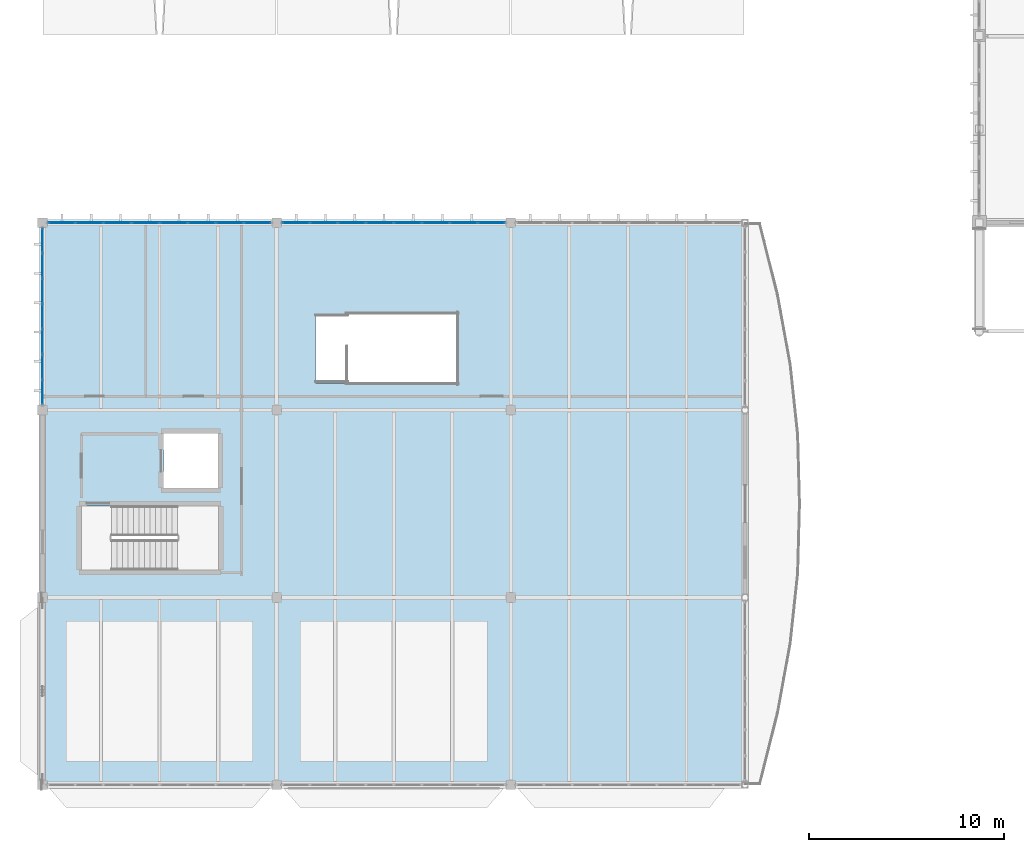
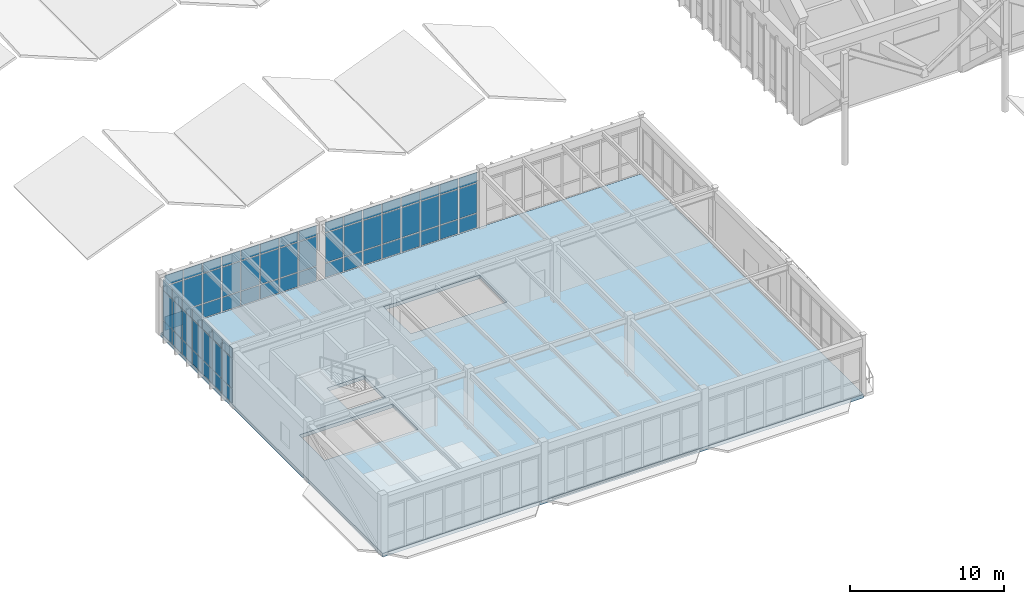
# One storey, part 187 of 236: 69 plates, 1 slab, 3 elements without a shape of their own.
"""IFC4 building model written with IfcOpenShell, lengths in metres."""

from ifc_helpers import new_model, si_unit, direction, frame, origin, origin_2d, place, context, subcontext, project, spatial, polyline, rectangle, outline, extrude, material, layer, layer_set, type_object, element, aggregate, save


model = new_model("IFC4")

# Units and contexts
model_context = context("Model", 3, precision=1e-05, world=origin(), true_north=direction((0.0, 1.0)))
body_context = subcontext(model_context, "Body", "Model", "MODEL_VIEW")
ifc_project = project(units=[si_unit("LENGTHUNIT", "METRE"), si_unit("AREAUNIT", "SQUARE_METRE"), si_unit("VOLUMEUNIT", "CUBIC_METRE"), si_unit("PLANEANGLEUNIT", "RADIAN"), si_unit("MASSUNIT", "GRAM", prefix="KILO")], contexts=[model_context])

# Site, building, storey
site_placement = place(None, origin())
site = spatial("IfcSite", under=ifc_project, at=site_placement, CompositionType="ELEMENT")
building_placement = place(site_placement, origin())
building = spatial("IfcBuilding", under=site, at=building_placement, Name="Pandanus Reach Market Hall", CompositionType="ELEMENT")
storey_placement = place(building_placement, frame((0.0, 0.0, 5.39990234375)))
storey = spatial("IfcBuildingStorey", under=building, at=storey_placement, Name="L01", CompositionType="ELEMENT", Elevation=5.39990234375)

# Curtain wall, plates
ifc_material_1 = material(Name="Bronze anodised aluminium and low-E glass", Category="aluminium")
ifc_layer_1 = layer(ifc_material_1, 0.159912109375, Name="CW-17")
ifc_layer_set_1 = layer_set([ifc_layer_1], Name="Bronze anodised aluminium and low-E glass")
curtain_wall_type_1 = type_object("IfcCurtainWallType", Name="CW-17", PredefinedType="NOTDEFINED", material=ifc_layer_set_1)
curtain_wall_1_placement = place(storey_placement, origin())
curtain_wall_1 = element("IfcCurtainWall", 1, at=curtain_wall_1_placement, inside=storey, type_object=curtain_wall_type_1, Name="Glazed curtain wall CW-17 CW-0057", PredefinedType="NOTDEFINED")
ifc_material_2 = material(Name="Solar-control double glazing", Category="glass")
ifc_layer_2 = layer(ifc_material_2, 0.028076171875, Name="CW-P1")
ifc_layer_set_2 = layer_set([ifc_layer_2], Name="Solar-control double glazing")
plate_type = type_object("IfcPlateType", Name="CW-P1", PredefinedType="CURTAIN_PANEL", material=ifc_layer_set_2)
plate_1_placement = place(storey_placement, frame((0.985107421875, 28.800048828125, 0.065185546875), z_axis=(0.0, 0.0, 1.0), x_axis=(1.0, 0.0, 0.0)))
plate_1 = element("IfcPlate", 2, at=plate_1_placement, type_object=plate_type, Name="CW-17 panel 1.1", PredefinedType="CURTAIN_PANEL", context=body_context, shape_type="SweptSolid", body=[
    extrude(rectangle(XDim=1.340087890625, YDim=0.028076171875, at=origin_2d()), origin(), (0.0, 0.0, 1.0), 1.1025390625),
])
plate_2_placement = place(storey_placement, frame((0.985107421875, 28.800048828125, 1.232666015625), z_axis=(0.0, 0.0, 1.0), x_axis=(1.0, 0.0, 0.0)))
plate_2 = element("IfcPlate", 3, at=plate_2_placement, type_object=plate_type, Name="CW-17 panel 1.2", PredefinedType="CURTAIN_PANEL", context=body_context, shape_type="SweptSolid", body=[
    extrude(rectangle(XDim=1.340087890625, YDim=0.028076171875, at=origin_2d()), origin(), (0.0, 0.0, 1.0), 2.3349609375),
])
plate_3_placement = place(storey_placement, frame((0.985107421875, 28.800048828125, 3.6328125), z_axis=(0.0, 0.0, 1.0), x_axis=(1.0, 0.0, 0.0)))
plate_3 = element("IfcPlate", 4, at=plate_3_placement, type_object=plate_type, Name="CW-17 panel 1.3", PredefinedType="CURTAIN_PANEL", context=body_context, shape_type="SweptSolid", body=[
    extrude(rectangle(XDim=1.340087890625, YDim=0.028076171875, at=origin_2d()), origin(), (0.0, 0.0, 1.0), 0.802490234375),
])
plate_4_placement = place(storey_placement, frame((2.40625, 28.800048828125, 0.065185546875), z_axis=(0.0, 0.0, 1.0), x_axis=(1.0, 0.0, 0.0)))
plate_4 = element("IfcPlate", 5, at=plate_4_placement, type_object=plate_type, Name="CW-17 panel 2.1", PredefinedType="CURTAIN_PANEL", context=body_context, shape_type="SweptSolid", body=[
    extrude(rectangle(XDim=1.37255859375, YDim=0.028076171875, at=origin_2d()), origin(), (0.0, 0.0, 1.0), 1.1025390625),
])
plate_5_placement = place(storey_placement, frame((2.40625, 28.800048828125, 1.232666015625), z_axis=(0.0, 0.0, 1.0), x_axis=(1.0, 0.0, 0.0)))
plate_5 = element("IfcPlate", 6, at=plate_5_placement, type_object=plate_type, Name="CW-17 panel 2.2", PredefinedType="CURTAIN_PANEL", context=body_context, shape_type="SweptSolid", body=[
    extrude(rectangle(XDim=1.37255859375, YDim=0.028076171875, at=origin_2d()), origin(), (0.0, 0.0, 1.0), 2.3349609375),
])
plate_6_placement = place(storey_placement, frame((2.40625, 28.800048828125, 3.6328125), z_axis=(0.0, 0.0, 1.0), x_axis=(1.0, 0.0, 0.0)))
plate_6 = element("IfcPlate", 7, at=plate_6_placement, type_object=plate_type, Name="CW-17 panel 2.3", PredefinedType="CURTAIN_PANEL", context=body_context, shape_type="SweptSolid", body=[
    extrude(rectangle(XDim=1.37255859375, YDim=0.028076171875, at=origin_2d()), origin(), (0.0, 0.0, 1.0), 0.802490234375),
])
plate_7_placement = place(storey_placement, frame((3.84375, 28.800048828125, 0.065185546875), z_axis=(0.0, 0.0, 1.0), x_axis=(1.0, 0.0, 0.0)))
plate_7 = element("IfcPlate", 8, at=plate_7_placement, type_object=plate_type, Name="CW-17 panel 3.1", PredefinedType="CURTAIN_PANEL", context=body_context, shape_type="SweptSolid", body=[
    extrude(rectangle(XDim=1.37255859375, YDim=0.028076171875, at=origin_2d()), origin(), (0.0, 0.0, 1.0), 1.1025390625),
])
plate_8_placement = place(storey_placement, frame((3.84375, 28.800048828125, 1.232666015625), z_axis=(0.0, 0.0, 1.0), x_axis=(1.0, 0.0, 0.0)))
plate_8 = element("IfcPlate", 9, at=plate_8_placement, type_object=plate_type, Name="CW-17 panel 3.2", PredefinedType="CURTAIN_PANEL", context=body_context, shape_type="SweptSolid", body=[
    extrude(rectangle(XDim=1.37255859375, YDim=0.028076171875, at=origin_2d()), origin(), (0.0, 0.0, 1.0), 2.3349609375),
])
plate_9_placement = place(storey_placement, frame((3.84375, 28.800048828125, 3.6328125), z_axis=(0.0, 0.0, 1.0), x_axis=(1.0, 0.0, 0.0)))
plate_9 = element("IfcPlate", 10, at=plate_9_placement, type_object=plate_type, Name="CW-17 panel 3.3", PredefinedType="CURTAIN_PANEL", context=body_context, shape_type="SweptSolid", body=[
    extrude(rectangle(XDim=1.37255859375, YDim=0.028076171875, at=origin_2d()), origin(), (0.0, 0.0, 1.0), 0.802490234375),
])
plate_10_placement = place(storey_placement, frame((5.28125, 28.800048828125, 0.065185546875), z_axis=(0.0, 0.0, 1.0), x_axis=(1.0, 0.0, 0.0)))
plate_10 = element("IfcPlate", 11, at=plate_10_placement, type_object=plate_type, Name="CW-17 panel 4.1", PredefinedType="CURTAIN_PANEL", context=body_context, shape_type="SweptSolid", body=[
    extrude(rectangle(XDim=1.37255859375, YDim=0.028076171875, at=origin_2d()), origin(), (0.0, 0.0, 1.0), 1.1025390625),
])
plate_11_placement = place(storey_placement, frame((5.28125, 28.800048828125, 1.232666015625), z_axis=(0.0, 0.0, 1.0), x_axis=(1.0, 0.0, 0.0)))
plate_11 = element("IfcPlate", 12, at=plate_11_placement, type_object=plate_type, Name="CW-17 panel 4.2", PredefinedType="CURTAIN_PANEL", context=body_context, shape_type="SweptSolid", body=[
    extrude(rectangle(XDim=1.37255859375, YDim=0.028076171875, at=origin_2d()), origin(), (0.0, 0.0, 1.0), 2.3349609375),
])
plate_12_placement = place(storey_placement, frame((5.28125, 28.800048828125, 3.6328125), z_axis=(0.0, 0.0, 1.0), x_axis=(1.0, 0.0, 0.0)))
plate_12 = element("IfcPlate", 13, at=plate_12_placement, type_object=plate_type, Name="CW-17 panel 4.3", PredefinedType="CURTAIN_PANEL", context=body_context, shape_type="SweptSolid", body=[
    extrude(rectangle(XDim=1.37255859375, YDim=0.028076171875, at=origin_2d()), origin(), (0.0, 0.0, 1.0), 0.802490234375),
])
plate_13_placement = place(storey_placement, frame((6.71875, 28.800048828125, 0.065185546875), z_axis=(0.0, 0.0, 1.0), x_axis=(1.0, 0.0, 0.0)))
plate_13 = element("IfcPlate", 14, at=plate_13_placement, type_object=plate_type, Name="CW-17 panel 5.1", PredefinedType="CURTAIN_PANEL", context=body_context, shape_type="SweptSolid", body=[
    extrude(rectangle(XDim=1.37255859375, YDim=0.028076171875, at=origin_2d()), origin(), (0.0, 0.0, 1.0), 1.1025390625),
])
plate_14_placement = place(storey_placement, frame((6.71875, 28.800048828125, 1.232666015625), z_axis=(0.0, 0.0, 1.0), x_axis=(1.0, 0.0, 0.0)))
plate_14 = element("IfcPlate", 15, at=plate_14_placement, type_object=plate_type, Name="CW-17 panel 5.2", PredefinedType="CURTAIN_PANEL", context=body_context, shape_type="SweptSolid", body=[
    extrude(rectangle(XDim=1.37255859375, YDim=0.028076171875, at=origin_2d()), origin(), (0.0, 0.0, 1.0), 2.3349609375),
])
plate_15_placement = place(storey_placement, frame((6.71875, 28.800048828125, 3.6328125), z_axis=(0.0, 0.0, 1.0), x_axis=(1.0, 0.0, 0.0)))
plate_15 = element("IfcPlate", 16, at=plate_15_placement, type_object=plate_type, Name="CW-17 panel 5.3", PredefinedType="CURTAIN_PANEL", context=body_context, shape_type="SweptSolid", body=[
    extrude(rectangle(XDim=1.37255859375, YDim=0.028076171875, at=origin_2d()), origin(), (0.0, 0.0, 1.0), 0.802490234375),
])
plate_16_placement = place(storey_placement, frame((8.15625, 28.800048828125, 0.065185546875), z_axis=(0.0, 0.0, 1.0), x_axis=(1.0, 0.0, 0.0)))
plate_16 = element("IfcPlate", 17, at=plate_16_placement, type_object=plate_type, Name="CW-17 panel 6.1", PredefinedType="CURTAIN_PANEL", context=body_context, shape_type="SweptSolid", body=[
    extrude(rectangle(XDim=1.37255859375, YDim=0.028076171875, at=origin_2d()), origin(), (0.0, 0.0, 1.0), 1.1025390625),
])
plate_17_placement = place(storey_placement, frame((8.15625, 28.800048828125, 1.232666015625), z_axis=(0.0, 0.0, 1.0), x_axis=(1.0, 0.0, 0.0)))
plate_17 = element("IfcPlate", 18, at=plate_17_placement, type_object=plate_type, Name="CW-17 panel 6.2", PredefinedType="CURTAIN_PANEL", context=body_context, shape_type="SweptSolid", body=[
    extrude(rectangle(XDim=1.37255859375, YDim=0.028076171875, at=origin_2d()), origin(), (0.0, 0.0, 1.0), 2.3349609375),
])
plate_18_placement = place(storey_placement, frame((8.15625, 28.800048828125, 3.6328125), z_axis=(0.0, 0.0, 1.0), x_axis=(1.0, 0.0, 0.0)))
plate_18 = element("IfcPlate", 19, at=plate_18_placement, type_object=plate_type, Name="CW-17 panel 6.3", PredefinedType="CURTAIN_PANEL", context=body_context, shape_type="SweptSolid", body=[
    extrude(rectangle(XDim=1.37255859375, YDim=0.028076171875, at=origin_2d()), origin(), (0.0, 0.0, 1.0), 0.802490234375),
])
plate_19_placement = place(storey_placement, frame((9.59375, 28.800048828125, 0.065185546875), z_axis=(0.0, 0.0, 1.0), x_axis=(1.0, 0.0, 0.0)))
plate_19 = element("IfcPlate", 20, at=plate_19_placement, type_object=plate_type, Name="CW-17 panel 7.1", PredefinedType="CURTAIN_PANEL", context=body_context, shape_type="SweptSolid", body=[
    extrude(rectangle(XDim=1.37255859375, YDim=0.028076171875, at=origin_2d()), origin(), (0.0, 0.0, 1.0), 1.1025390625),
])
plate_20_placement = place(storey_placement, frame((9.59375, 28.800048828125, 1.232666015625), z_axis=(0.0, 0.0, 1.0), x_axis=(1.0, 0.0, 0.0)))
plate_20 = element("IfcPlate", 21, at=plate_20_placement, type_object=plate_type, Name="CW-17 panel 7.2", PredefinedType="CURTAIN_PANEL", context=body_context, shape_type="SweptSolid", body=[
    extrude(rectangle(XDim=1.37255859375, YDim=0.028076171875, at=origin_2d()), origin(), (0.0, 0.0, 1.0), 2.3349609375),
])
plate_21_placement = place(storey_placement, frame((9.59375, 28.800048828125, 3.6328125), z_axis=(0.0, 0.0, 1.0), x_axis=(1.0, 0.0, 0.0)))
plate_21 = element("IfcPlate", 22, at=plate_21_placement, type_object=plate_type, Name="CW-17 panel 7.3", PredefinedType="CURTAIN_PANEL", context=body_context, shape_type="SweptSolid", body=[
    extrude(rectangle(XDim=1.37255859375, YDim=0.028076171875, at=origin_2d()), origin(), (0.0, 0.0, 1.0), 0.802490234375),
])
plate_22_placement = place(storey_placement, frame((11.014892578125, 28.800048828125, 0.065185546875), z_axis=(0.0, 0.0, 1.0), x_axis=(1.0, 0.0, 0.0)))
plate_22 = element("IfcPlate", 23, at=plate_22_placement, type_object=plate_type, Name="CW-17 panel 8.1", PredefinedType="CURTAIN_PANEL", context=body_context, shape_type="SweptSolid", body=[
    extrude(rectangle(XDim=1.340087890625, YDim=0.028076171875, at=origin_2d()), origin(), (0.0, 0.0, 1.0), 1.1025390625),
])
plate_23_placement = place(storey_placement, frame((11.014892578125, 28.800048828125, 1.232666015625), z_axis=(0.0, 0.0, 1.0), x_axis=(1.0, 0.0, 0.0)))
plate_23 = element("IfcPlate", 24, at=plate_23_placement, type_object=plate_type, Name="CW-17 panel 8.2", PredefinedType="CURTAIN_PANEL", context=body_context, shape_type="SweptSolid", body=[
    extrude(rectangle(XDim=1.340087890625, YDim=0.028076171875, at=origin_2d()), origin(), (0.0, 0.0, 1.0), 2.3349609375),
])
plate_24_placement = place(storey_placement, frame((11.014892578125, 28.800048828125, 3.6328125), z_axis=(0.0, 0.0, 1.0), x_axis=(1.0, 0.0, 0.0)))
plate_24 = element("IfcPlate", 25, at=plate_24_placement, type_object=plate_type, Name="CW-17 panel 8.3", PredefinedType="CURTAIN_PANEL", context=body_context, shape_type="SweptSolid", body=[
    extrude(rectangle(XDim=1.340087890625, YDim=0.028076171875, at=origin_2d()), origin(), (0.0, 0.0, 1.0), 0.802490234375),
])
aggregate(curtain_wall_1, [plate_1, plate_2, plate_3, plate_4, plate_5, plate_6, plate_7, plate_8, plate_9, plate_10, plate_11, plate_12, plate_13, plate_14, plate_15, plate_16, plate_17, plate_18, plate_19, plate_20, plate_21, plate_22, plate_23, plate_24])

curtain_wall_2_placement = place(storey_placement, origin())
curtain_wall_2 = element("IfcCurtainWall", 26, at=curtain_wall_2_placement, inside=storey, type_object=curtain_wall_type_1, Name="Glazed curtain wall CW-17 CW-0058", PredefinedType="NOTDEFINED")
plate_25_placement = place(storey_placement, frame((12.985107421875, 28.800048828125, 0.065185546875), z_axis=(0.0, 0.0, 1.0), x_axis=(1.0, 0.0, 0.0)))
plate_25 = element("IfcPlate", 27, at=plate_25_placement, type_object=plate_type, Name="CW-17 panel 1.1", PredefinedType="CURTAIN_PANEL", context=body_context, shape_type="SweptSolid", body=[
    extrude(rectangle(XDim=1.340087890625, YDim=0.028076171875, at=origin_2d()), origin(), (0.0, 0.0, 1.0), 1.1025390625),
])
plate_26_placement = place(storey_placement, frame((12.985107421875, 28.800048828125, 1.232666015625), z_axis=(0.0, 0.0, 1.0), x_axis=(1.0, 0.0, 0.0)))
plate_26 = element("IfcPlate", 28, at=plate_26_placement, type_object=plate_type, Name="CW-17 panel 1.2", PredefinedType="CURTAIN_PANEL", context=body_context, shape_type="SweptSolid", body=[
    extrude(rectangle(XDim=1.340087890625, YDim=0.028076171875, at=origin_2d()), origin(), (0.0, 0.0, 1.0), 2.3349609375),
])
plate_27_placement = place(storey_placement, frame((12.985107421875, 28.800048828125, 3.6328125), z_axis=(0.0, 0.0, 1.0), x_axis=(1.0, 0.0, 0.0)))
plate_27 = element("IfcPlate", 29, at=plate_27_placement, type_object=plate_type, Name="CW-17 panel 1.3", PredefinedType="CURTAIN_PANEL", context=body_context, shape_type="SweptSolid", body=[
    extrude(rectangle(XDim=1.340087890625, YDim=0.028076171875, at=origin_2d()), origin(), (0.0, 0.0, 1.0), 0.802490234375),
])
plate_28_placement = place(storey_placement, frame((14.40625, 28.800048828125, 0.065185546875), z_axis=(0.0, 0.0, 1.0), x_axis=(1.0, 0.0, 0.0)))
plate_28 = element("IfcPlate", 30, at=plate_28_placement, type_object=plate_type, Name="CW-17 panel 2.1", PredefinedType="CURTAIN_PANEL", context=body_context, shape_type="SweptSolid", body=[
    extrude(rectangle(XDim=1.37255859375, YDim=0.028076171875, at=origin_2d()), origin(), (0.0, 0.0, 1.0), 1.1025390625),
])
plate_29_placement = place(storey_placement, frame((14.40625, 28.800048828125, 1.232666015625), z_axis=(0.0, 0.0, 1.0), x_axis=(1.0, 0.0, 0.0)))
plate_29 = element("IfcPlate", 31, at=plate_29_placement, type_object=plate_type, Name="CW-17 panel 2.2", PredefinedType="CURTAIN_PANEL", context=body_context, shape_type="SweptSolid", body=[
    extrude(rectangle(XDim=1.37255859375, YDim=0.028076171875, at=origin_2d()), origin(), (0.0, 0.0, 1.0), 2.3349609375),
])
plate_30_placement = place(storey_placement, frame((14.40625, 28.800048828125, 3.6328125), z_axis=(0.0, 0.0, 1.0), x_axis=(1.0, 0.0, 0.0)))
plate_30 = element("IfcPlate", 32, at=plate_30_placement, type_object=plate_type, Name="CW-17 panel 2.3", PredefinedType="CURTAIN_PANEL", context=body_context, shape_type="SweptSolid", body=[
    extrude(rectangle(XDim=1.37255859375, YDim=0.028076171875, at=origin_2d()), origin(), (0.0, 0.0, 1.0), 0.802490234375),
])
plate_31_placement = place(storey_placement, frame((15.84375, 28.800048828125, 0.065185546875), z_axis=(0.0, 0.0, 1.0), x_axis=(1.0, 0.0, 0.0)))
plate_31 = element("IfcPlate", 33, at=plate_31_placement, type_object=plate_type, Name="CW-17 panel 3.1", PredefinedType="CURTAIN_PANEL", context=body_context, shape_type="SweptSolid", body=[
    extrude(rectangle(XDim=1.37255859375, YDim=0.028076171875, at=origin_2d()), origin(), (0.0, 0.0, 1.0), 1.1025390625),
])
plate_32_placement = place(storey_placement, frame((15.84375, 28.800048828125, 1.232666015625), z_axis=(0.0, 0.0, 1.0), x_axis=(1.0, 0.0, 0.0)))
plate_32 = element("IfcPlate", 34, at=plate_32_placement, type_object=plate_type, Name="CW-17 panel 3.2", PredefinedType="CURTAIN_PANEL", context=body_context, shape_type="SweptSolid", body=[
    extrude(rectangle(XDim=1.37255859375, YDim=0.028076171875, at=origin_2d()), origin(), (0.0, 0.0, 1.0), 2.3349609375),
])
plate_33_placement = place(storey_placement, frame((15.84375, 28.800048828125, 3.6328125), z_axis=(0.0, 0.0, 1.0), x_axis=(1.0, 0.0, 0.0)))
plate_33 = element("IfcPlate", 35, at=plate_33_placement, type_object=plate_type, Name="CW-17 panel 3.3", PredefinedType="CURTAIN_PANEL", context=body_context, shape_type="SweptSolid", body=[
    extrude(rectangle(XDim=1.37255859375, YDim=0.028076171875, at=origin_2d()), origin(), (0.0, 0.0, 1.0), 0.802490234375),
])
plate_34_placement = place(storey_placement, frame((17.28125, 28.800048828125, 0.065185546875), z_axis=(0.0, 0.0, 1.0), x_axis=(1.0, 0.0, 0.0)))
plate_34 = element("IfcPlate", 36, at=plate_34_placement, type_object=plate_type, Name="CW-17 panel 4.1", PredefinedType="CURTAIN_PANEL", context=body_context, shape_type="SweptSolid", body=[
    extrude(rectangle(XDim=1.37255859375, YDim=0.028076171875, at=origin_2d()), origin(), (0.0, 0.0, 1.0), 1.1025390625),
])
plate_35_placement = place(storey_placement, frame((17.28125, 28.800048828125, 1.232666015625), z_axis=(0.0, 0.0, 1.0), x_axis=(1.0, 0.0, 0.0)))
plate_35 = element("IfcPlate", 37, at=plate_35_placement, type_object=plate_type, Name="CW-17 panel 4.2", PredefinedType="CURTAIN_PANEL", context=body_context, shape_type="SweptSolid", body=[
    extrude(rectangle(XDim=1.37255859375, YDim=0.028076171875, at=origin_2d()), origin(), (0.0, 0.0, 1.0), 2.3349609375),
])
plate_36_placement = place(storey_placement, frame((17.28125, 28.800048828125, 3.6328125), z_axis=(0.0, 0.0, 1.0), x_axis=(1.0, 0.0, 0.0)))
plate_36 = element("IfcPlate", 38, at=plate_36_placement, type_object=plate_type, Name="CW-17 panel 4.3", PredefinedType="CURTAIN_PANEL", context=body_context, shape_type="SweptSolid", body=[
    extrude(rectangle(XDim=1.37255859375, YDim=0.028076171875, at=origin_2d()), origin(), (0.0, 0.0, 1.0), 0.802490234375),
])
plate_37_placement = place(storey_placement, frame((18.71875, 28.800048828125, 0.065185546875), z_axis=(0.0, 0.0, 1.0), x_axis=(1.0, 0.0, 0.0)))
plate_37 = element("IfcPlate", 39, at=plate_37_placement, type_object=plate_type, Name="CW-17 panel 5.1", PredefinedType="CURTAIN_PANEL", context=body_context, shape_type="SweptSolid", body=[
    extrude(rectangle(XDim=1.37255859375, YDim=0.028076171875, at=origin_2d()), origin(), (0.0, 0.0, 1.0), 1.1025390625),
])
plate_38_placement = place(storey_placement, frame((18.71875, 28.800048828125, 1.232666015625), z_axis=(0.0, 0.0, 1.0), x_axis=(1.0, 0.0, 0.0)))
plate_38 = element("IfcPlate", 40, at=plate_38_placement, type_object=plate_type, Name="CW-17 panel 5.2", PredefinedType="CURTAIN_PANEL", context=body_context, shape_type="SweptSolid", body=[
    extrude(rectangle(XDim=1.37255859375, YDim=0.028076171875, at=origin_2d()), origin(), (0.0, 0.0, 1.0), 2.3349609375),
])
plate_39_placement = place(storey_placement, frame((18.71875, 28.800048828125, 3.6328125), z_axis=(0.0, 0.0, 1.0), x_axis=(1.0, 0.0, 0.0)))
plate_39 = element("IfcPlate", 41, at=plate_39_placement, type_object=plate_type, Name="CW-17 panel 5.3", PredefinedType="CURTAIN_PANEL", context=body_context, shape_type="SweptSolid", body=[
    extrude(rectangle(XDim=1.37255859375, YDim=0.028076171875, at=origin_2d()), origin(), (0.0, 0.0, 1.0), 0.802490234375),
])
plate_40_placement = place(storey_placement, frame((20.15625, 28.800048828125, 0.065185546875), z_axis=(0.0, 0.0, 1.0), x_axis=(1.0, 0.0, 0.0)))
plate_40 = element("IfcPlate", 42, at=plate_40_placement, type_object=plate_type, Name="CW-17 panel 6.1", PredefinedType="CURTAIN_PANEL", context=body_context, shape_type="SweptSolid", body=[
    extrude(rectangle(XDim=1.37255859375, YDim=0.028076171875, at=origin_2d()), origin(), (0.0, 0.0, 1.0), 1.1025390625),
])
plate_41_placement = place(storey_placement, frame((20.15625, 28.800048828125, 1.232666015625), z_axis=(0.0, 0.0, 1.0), x_axis=(1.0, 0.0, 0.0)))
plate_41 = element("IfcPlate", 43, at=plate_41_placement, type_object=plate_type, Name="CW-17 panel 6.2", PredefinedType="CURTAIN_PANEL", context=body_context, shape_type="SweptSolid", body=[
    extrude(rectangle(XDim=1.37255859375, YDim=0.028076171875, at=origin_2d()), origin(), (0.0, 0.0, 1.0), 2.3349609375),
])
plate_42_placement = place(storey_placement, frame((20.15625, 28.800048828125, 3.6328125), z_axis=(0.0, 0.0, 1.0), x_axis=(1.0, 0.0, 0.0)))
plate_42 = element("IfcPlate", 44, at=plate_42_placement, type_object=plate_type, Name="CW-17 panel 6.3", PredefinedType="CURTAIN_PANEL", context=body_context, shape_type="SweptSolid", body=[
    extrude(rectangle(XDim=1.37255859375, YDim=0.028076171875, at=origin_2d()), origin(), (0.0, 0.0, 1.0), 0.802490234375),
])
plate_43_placement = place(storey_placement, frame((21.59375, 28.800048828125, 0.065185546875), z_axis=(0.0, 0.0, 1.0), x_axis=(1.0, 0.0, 0.0)))
plate_43 = element("IfcPlate", 45, at=plate_43_placement, type_object=plate_type, Name="CW-17 panel 7.1", PredefinedType="CURTAIN_PANEL", context=body_context, shape_type="SweptSolid", body=[
    extrude(rectangle(XDim=1.37255859375, YDim=0.028076171875, at=origin_2d()), origin(), (0.0, 0.0, 1.0), 1.1025390625),
])
plate_44_placement = place(storey_placement, frame((21.59375, 28.800048828125, 1.232666015625), z_axis=(0.0, 0.0, 1.0), x_axis=(1.0, 0.0, 0.0)))
plate_44 = element("IfcPlate", 46, at=plate_44_placement, type_object=plate_type, Name="CW-17 panel 7.2", PredefinedType="CURTAIN_PANEL", context=body_context, shape_type="SweptSolid", body=[
    extrude(rectangle(XDim=1.37255859375, YDim=0.028076171875, at=origin_2d()), origin(), (0.0, 0.0, 1.0), 2.3349609375),
])
plate_45_placement = place(storey_placement, frame((21.59375, 28.800048828125, 3.6328125), z_axis=(0.0, 0.0, 1.0), x_axis=(1.0, 0.0, 0.0)))
plate_45 = element("IfcPlate", 47, at=plate_45_placement, type_object=plate_type, Name="CW-17 panel 7.3", PredefinedType="CURTAIN_PANEL", context=body_context, shape_type="SweptSolid", body=[
    extrude(rectangle(XDim=1.37255859375, YDim=0.028076171875, at=origin_2d()), origin(), (0.0, 0.0, 1.0), 0.802490234375),
])
plate_46_placement = place(storey_placement, frame((23.014892578125, 28.800048828125, 0.065185546875), z_axis=(0.0, 0.0, 1.0), x_axis=(1.0, 0.0, 0.0)))
plate_46 = element("IfcPlate", 48, at=plate_46_placement, type_object=plate_type, Name="CW-17 panel 8.1", PredefinedType="CURTAIN_PANEL", context=body_context, shape_type="SweptSolid", body=[
    extrude(rectangle(XDim=1.340087890625, YDim=0.028076171875, at=origin_2d()), origin(), (0.0, 0.0, 1.0), 1.1025390625),
])
plate_47_placement = place(storey_placement, frame((23.014892578125, 28.800048828125, 1.232666015625), z_axis=(0.0, 0.0, 1.0), x_axis=(1.0, 0.0, 0.0)))
plate_47 = element("IfcPlate", 49, at=plate_47_placement, type_object=plate_type, Name="CW-17 panel 8.2", PredefinedType="CURTAIN_PANEL", context=body_context, shape_type="SweptSolid", body=[
    extrude(rectangle(XDim=1.340087890625, YDim=0.028076171875, at=origin_2d()), origin(), (0.0, 0.0, 1.0), 2.3349609375),
])
plate_48_placement = place(storey_placement, frame((23.014892578125, 28.800048828125, 3.6328125), z_axis=(0.0, 0.0, 1.0), x_axis=(1.0, 0.0, 0.0)))
plate_48 = element("IfcPlate", 50, at=plate_48_placement, type_object=plate_type, Name="CW-17 panel 8.3", PredefinedType="CURTAIN_PANEL", context=body_context, shape_type="SweptSolid", body=[
    extrude(rectangle(XDim=1.340087890625, YDim=0.028076171875, at=origin_2d()), origin(), (0.0, 0.0, 1.0), 0.802490234375),
])
aggregate(curtain_wall_2, [plate_25, plate_26, plate_27, plate_28, plate_29, plate_30, plate_31, plate_32, plate_33, plate_34, plate_35, plate_36, plate_37, plate_38, plate_39, plate_40, plate_41, plate_42, plate_43, plate_44, plate_45, plate_46, plate_47, plate_48])

ifc_layer_3 = layer(ifc_material_1, 0.159912109375, Name="CW-19")
ifc_layer_set_3 = layer_set([ifc_layer_3], Name="Bronze anodised aluminium and low-E glass")
curtain_wall_type_2 = type_object("IfcCurtainWallType", Name="CW-19", PredefinedType="NOTDEFINED", material=ifc_layer_set_3)
curtain_wall_3_placement = place(storey_placement, origin())
curtain_wall_3 = element("IfcCurtainWall", 51, at=curtain_wall_3_placement, inside=storey, type_object=curtain_wall_type_2, Name="Glazed curtain wall CW-19 CW-0060", PredefinedType="NOTDEFINED")
plate_49_placement = place(storey_placement, frame((0.0, 20.1162109375, 0.065185546875), z_axis=(0.0, 0.0, 1.0), x_axis=(0.0, 1.0, 0.0)))
plate_49 = element("IfcPlate", 52, at=plate_49_placement, type_object=plate_type, Name="CW-19 panel 1.1", PredefinedType="CURTAIN_PANEL", context=body_context, shape_type="SweptSolid", body=[
    extrude(rectangle(XDim=1.202392578125, YDim=0.028076171875, at=origin_2d()), origin(), (0.0, 0.0, 1.0), 1.1025390625),
])
plate_50_placement = place(storey_placement, frame((0.0, 20.1162109375, 1.232666015625), z_axis=(0.0, 0.0, 1.0), x_axis=(0.0, 1.0, 0.0)))
plate_50 = element("IfcPlate", 53, at=plate_50_placement, type_object=plate_type, Name="CW-19 panel 1.2", PredefinedType="CURTAIN_PANEL", context=body_context, shape_type="SweptSolid", body=[
    extrude(rectangle(XDim=1.202392578125, YDim=0.028076171875, at=origin_2d()), origin(), (0.0, 0.0, 1.0), 2.3349609375),
])
plate_51_placement = place(storey_placement, frame((0.0, 20.1162109375, 3.6328125), z_axis=(0.0, 0.0, 1.0), x_axis=(0.0, 1.0, 0.0)))
plate_51 = element("IfcPlate", 54, at=plate_51_placement, type_object=plate_type, Name="CW-19 panel 1.3", PredefinedType="CURTAIN_PANEL", context=body_context, shape_type="SweptSolid", body=[
    extrude(rectangle(XDim=1.202392578125, YDim=0.028076171875, at=origin_2d()), origin(), (0.0, 0.0, 1.0), 0.802490234375),
])
plate_52_placement = place(storey_placement, frame((0.0, 21.39990234375, 0.065185546875), z_axis=(0.0, 0.0, 1.0), x_axis=(0.0, 1.0, 0.0)))
plate_52 = element("IfcPlate", 55, at=plate_52_placement, type_object=plate_type, Name="CW-19 panel 2.1", PredefinedType="CURTAIN_PANEL", context=body_context, shape_type="SweptSolid", body=[
    extrude(rectangle(XDim=1.235107421875, YDim=0.028076171875, at=origin_2d()), origin(), (0.0, 0.0, 1.0), 1.1025390625),
])
plate_53_placement = place(storey_placement, frame((0.0, 21.39990234375, 1.232666015625), z_axis=(0.0, 0.0, 1.0), x_axis=(0.0, 1.0, 0.0)))
plate_53 = element("IfcPlate", 56, at=plate_53_placement, type_object=plate_type, Name="CW-19 panel 2.2", PredefinedType="CURTAIN_PANEL", context=body_context, shape_type="SweptSolid", body=[
    extrude(rectangle(XDim=1.235107421875, YDim=0.028076171875, at=origin_2d()), origin(), (0.0, 0.0, 1.0), 2.3349609375),
])
plate_54_placement = place(storey_placement, frame((0.0, 21.39990234375, 3.6328125), z_axis=(0.0, 0.0, 1.0), x_axis=(0.0, 1.0, 0.0)))
plate_54 = element("IfcPlate", 57, at=plate_54_placement, type_object=plate_type, Name="CW-19 panel 2.3", PredefinedType="CURTAIN_PANEL", context=body_context, shape_type="SweptSolid", body=[
    extrude(rectangle(XDim=1.235107421875, YDim=0.028076171875, at=origin_2d()), origin(), (0.0, 0.0, 1.0), 0.802490234375),
])
plate_55_placement = place(storey_placement, frame((0.0, 22.699951171875, 0.065185546875), z_axis=(0.0, 0.0, 1.0), x_axis=(0.0, 1.0, 0.0)))
plate_55 = element("IfcPlate", 58, at=plate_55_placement, type_object=plate_type, Name="CW-19 panel 3.1", PredefinedType="CURTAIN_PANEL", context=body_context, shape_type="SweptSolid", body=[
    extrude(rectangle(XDim=1.235107421875, YDim=0.028076171875, at=origin_2d()), origin(), (0.0, 0.0, 1.0), 1.1025390625),
])
plate_56_placement = place(storey_placement, frame((0.0, 22.699951171875, 1.232666015625), z_axis=(0.0, 0.0, 1.0), x_axis=(0.0, 1.0, 0.0)))
plate_56 = element("IfcPlate", 59, at=plate_56_placement, type_object=plate_type, Name="CW-19 panel 3.2", PredefinedType="CURTAIN_PANEL", context=body_context, shape_type="SweptSolid", body=[
    extrude(rectangle(XDim=1.235107421875, YDim=0.028076171875, at=origin_2d()), origin(), (0.0, 0.0, 1.0), 2.3349609375),
])
plate_57_placement = place(storey_placement, frame((0.0, 22.699951171875, 3.6328125), z_axis=(0.0, 0.0, 1.0), x_axis=(0.0, 1.0, 0.0)))
plate_57 = element("IfcPlate", 60, at=plate_57_placement, type_object=plate_type, Name="CW-19 panel 3.3", PredefinedType="CURTAIN_PANEL", context=body_context, shape_type="SweptSolid", body=[
    extrude(rectangle(XDim=1.235107421875, YDim=0.028076171875, at=origin_2d()), origin(), (0.0, 0.0, 1.0), 0.802490234375),
])
plate_58_placement = place(storey_placement, frame((0.0, 24.0, 0.065185546875), z_axis=(0.0, 0.0, 1.0), x_axis=(0.0, 1.0, 0.0)))
plate_58 = element("IfcPlate", 61, at=plate_58_placement, type_object=plate_type, Name="CW-19 panel 4.1", PredefinedType="CURTAIN_PANEL", context=body_context, shape_type="SweptSolid", body=[
    extrude(rectangle(XDim=1.235107421875, YDim=0.028076171875, at=origin_2d()), origin(), (0.0, 0.0, 1.0), 1.1025390625),
])
plate_59_placement = place(storey_placement, frame((0.0, 24.0, 1.232666015625), z_axis=(0.0, 0.0, 1.0), x_axis=(0.0, 1.0, 0.0)))
plate_59 = element("IfcPlate", 62, at=plate_59_placement, type_object=plate_type, Name="CW-19 panel 4.2", PredefinedType="CURTAIN_PANEL", context=body_context, shape_type="SweptSolid", body=[
    extrude(rectangle(XDim=1.235107421875, YDim=0.028076171875, at=origin_2d()), origin(), (0.0, 0.0, 1.0), 2.3349609375),
])
plate_60_placement = place(storey_placement, frame((0.0, 24.0, 3.6328125), z_axis=(0.0, 0.0, 1.0), x_axis=(0.0, 1.0, 0.0)))
plate_60 = element("IfcPlate", 63, at=plate_60_placement, type_object=plate_type, Name="CW-19 panel 4.3", PredefinedType="CURTAIN_PANEL", context=body_context, shape_type="SweptSolid", body=[
    extrude(rectangle(XDim=1.235107421875, YDim=0.028076171875, at=origin_2d()), origin(), (0.0, 0.0, 1.0), 0.802490234375),
])
plate_61_placement = place(storey_placement, frame((0.0, 25.300048828125, 0.065185546875), z_axis=(0.0, 0.0, 1.0), x_axis=(0.0, 1.0, 0.0)))
plate_61 = element("IfcPlate", 64, at=plate_61_placement, type_object=plate_type, Name="CW-19 panel 5.1", PredefinedType="CURTAIN_PANEL", context=body_context, shape_type="SweptSolid", body=[
    extrude(rectangle(XDim=1.235107421875, YDim=0.028076171875, at=origin_2d()), origin(), (0.0, 0.0, 1.0), 1.1025390625),
])
plate_62_placement = place(storey_placement, frame((0.0, 25.300048828125, 1.232666015625), z_axis=(0.0, 0.0, 1.0), x_axis=(0.0, 1.0, 0.0)))
plate_62 = element("IfcPlate", 65, at=plate_62_placement, type_object=plate_type, Name="CW-19 panel 5.2", PredefinedType="CURTAIN_PANEL", context=body_context, shape_type="SweptSolid", body=[
    extrude(rectangle(XDim=1.235107421875, YDim=0.028076171875, at=origin_2d()), origin(), (0.0, 0.0, 1.0), 2.3349609375),
])
plate_63_placement = place(storey_placement, frame((0.0, 25.300048828125, 3.6328125), z_axis=(0.0, 0.0, 1.0), x_axis=(0.0, 1.0, 0.0)))
plate_63 = element("IfcPlate", 66, at=plate_63_placement, type_object=plate_type, Name="CW-19 panel 5.3", PredefinedType="CURTAIN_PANEL", context=body_context, shape_type="SweptSolid", body=[
    extrude(rectangle(XDim=1.235107421875, YDim=0.028076171875, at=origin_2d()), origin(), (0.0, 0.0, 1.0), 0.802490234375),
])
plate_64_placement = place(storey_placement, frame((0.0, 26.60009765625, 0.065185546875), z_axis=(0.0, 0.0, 1.0), x_axis=(0.0, 1.0, 0.0)))
plate_64 = element("IfcPlate", 67, at=plate_64_placement, type_object=plate_type, Name="CW-19 panel 6.1", PredefinedType="CURTAIN_PANEL", context=body_context, shape_type="SweptSolid", body=[
    extrude(rectangle(XDim=1.235107421875, YDim=0.028076171875, at=origin_2d()), origin(), (0.0, 0.0, 1.0), 1.1025390625),
])
plate_65_placement = place(storey_placement, frame((0.0, 26.60009765625, 1.232666015625), z_axis=(0.0, 0.0, 1.0), x_axis=(0.0, 1.0, 0.0)))
plate_65 = element("IfcPlate", 68, at=plate_65_placement, type_object=plate_type, Name="CW-19 panel 6.2", PredefinedType="CURTAIN_PANEL", context=body_context, shape_type="SweptSolid", body=[
    extrude(rectangle(XDim=1.235107421875, YDim=0.028076171875, at=origin_2d()), origin(), (0.0, 0.0, 1.0), 2.3349609375),
])
plate_66_placement = place(storey_placement, frame((0.0, 26.60009765625, 3.6328125), z_axis=(0.0, 0.0, 1.0), x_axis=(0.0, 1.0, 0.0)))
plate_66 = element("IfcPlate", 69, at=plate_66_placement, type_object=plate_type, Name="CW-19 panel 6.3", PredefinedType="CURTAIN_PANEL", context=body_context, shape_type="SweptSolid", body=[
    extrude(rectangle(XDim=1.235107421875, YDim=0.028076171875, at=origin_2d()), origin(), (0.0, 0.0, 1.0), 0.802490234375),
])
plate_67_placement = place(storey_placement, frame((0.0, 27.8837890625, 0.065185546875), z_axis=(0.0, 0.0, 1.0), x_axis=(0.0, 1.0, 0.0)))
plate_67 = element("IfcPlate", 70, at=plate_67_placement, type_object=plate_type, Name="CW-19 panel 7.1", PredefinedType="CURTAIN_PANEL", context=body_context, shape_type="SweptSolid", body=[
    extrude(rectangle(XDim=1.202392578125, YDim=0.028076171875, at=origin_2d()), origin(), (0.0, 0.0, 1.0), 1.1025390625),
])
plate_68_placement = place(storey_placement, frame((0.0, 27.8837890625, 1.232666015625), z_axis=(0.0, 0.0, 1.0), x_axis=(0.0, 1.0, 0.0)))
plate_68 = element("IfcPlate", 71, at=plate_68_placement, type_object=plate_type, Name="CW-19 panel 7.2", PredefinedType="CURTAIN_PANEL", context=body_context, shape_type="SweptSolid", body=[
    extrude(rectangle(XDim=1.202392578125, YDim=0.028076171875, at=origin_2d()), origin(), (0.0, 0.0, 1.0), 2.3349609375),
])
plate_69_placement = place(storey_placement, frame((0.0, 27.8837890625, 3.6328125), z_axis=(0.0, 0.0, 1.0), x_axis=(0.0, 1.0, 0.0)))
plate_69 = element("IfcPlate", 72, at=plate_69_placement, type_object=plate_type, Name="CW-19 panel 7.3", PredefinedType="CURTAIN_PANEL", context=body_context, shape_type="SweptSolid", body=[
    extrude(rectangle(XDim=1.202392578125, YDim=0.028076171875, at=origin_2d()), origin(), (0.0, 0.0, 1.0), 0.802490234375),
])
aggregate(curtain_wall_3, [plate_49, plate_50, plate_51, plate_52, plate_53, plate_54, plate_55, plate_56, plate_57, plate_58, plate_59, plate_60, plate_61, plate_62, plate_63, plate_64, plate_65, plate_66, plate_67, plate_68, plate_69])

# Slab
ifc_material_3 = material(Name="Concrete N40 (40 MPa)", Category="concrete")
ifc_layer_4 = layer(ifc_material_3, 0.2900390625, Name="SL-L01-FC")
ifc_layer_set_4 = layer_set([ifc_layer_4], Name="Concrete N40 (40 MPa)")
slab_type = type_object("IfcSlabType", Name="SL-L01-FC", PredefinedType="FLOOR", material=ifc_layer_set_4)
slab_placement = place(storey_placement, frame((0.0, 0.0, -0.289794921875)))
element("IfcSlab", 73, at=slab_placement, inside=storey, type_object=slab_type, Name="Floor slab SL-L01-V3", PredefinedType="FLOOR", context=body_context, shape_type="SweptSolid", body=[
    extrude(outline(polyline([(0.0, 0.0), (36.0, 0.0), (36.0, 28.800048828125), (0.0, 28.800048828125), (0.0, 0.0)]), holes=[polyline([(2.0, 11.0), (9.02001953125, 11.0), (9.02001953125, 14.300048828125), (2.0, 14.300048828125), (2.0, 11.0)]), polyline([(6.199951171875, 15.199951171875), (9.0, 15.199951171875), (9.0, 18.0), (6.199951171875, 18.0), (6.199951171875, 15.199951171875)]), polyline([(14.0, 20.60009765625), (21.219970703125, 20.60009765625), (21.219970703125, 24.1201171875), (14.0, 24.1201171875), (14.0, 20.60009765625)])]), origin(), (0.0, 0.0, 1.0), 0.289794921875),
])

save(model, "model.ifc")
